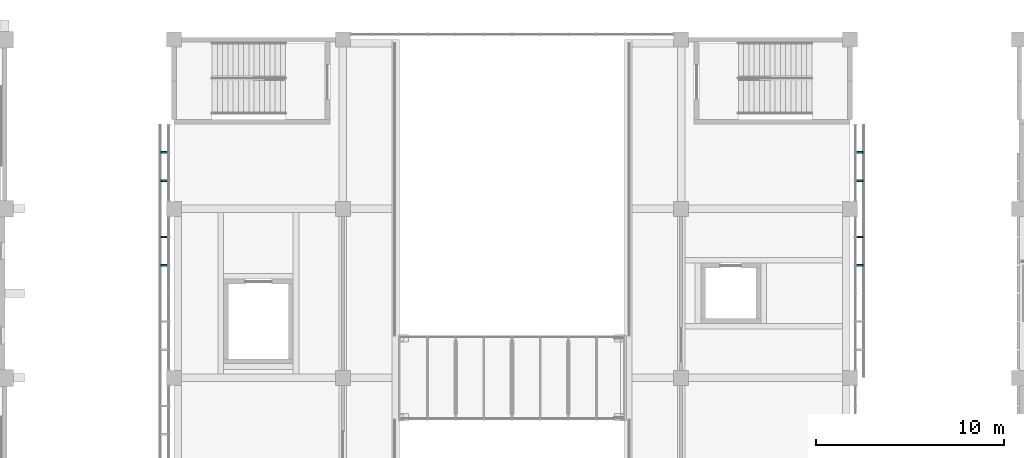
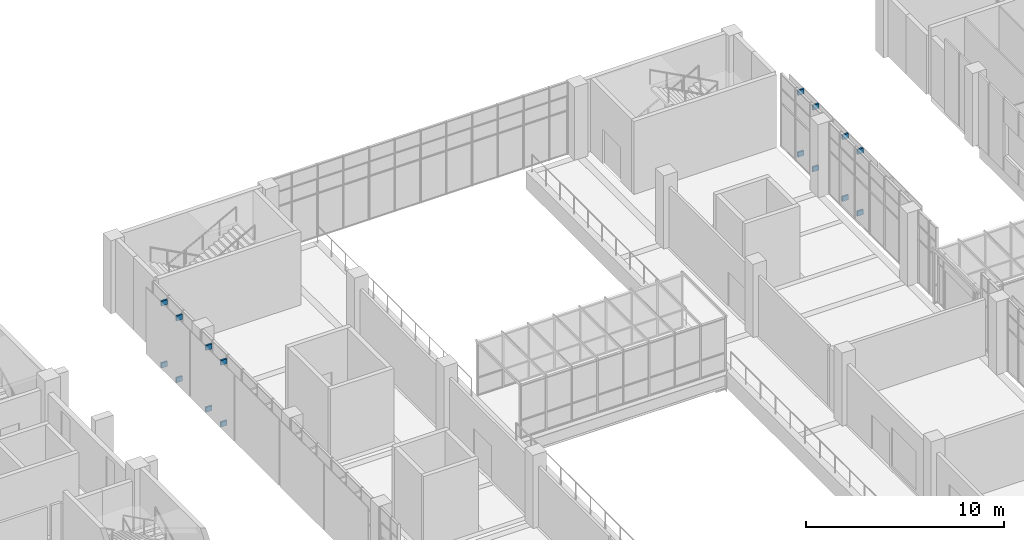
# One storey, part 77 of 88: 16 discrete accessories.
"""IFC4 building model written with IfcOpenShell, lengths in metres."""

from ifc_helpers import new_model, si_unit, direction, frame, origin, origin_2d, place, context, subcontext, project, spatial, rectangle, extrude, material, type_object, element, save


model = new_model("IFC4")

# Units and contexts
model_context = context("Model", 3, precision=1e-05, world=origin(), true_north=direction((0.0, 1.0)))
body_context = subcontext(model_context, "Body", "Model", "MODEL_VIEW")
ifc_project = project(units=[si_unit("LENGTHUNIT", "METRE"), si_unit("AREAUNIT", "SQUARE_METRE"), si_unit("VOLUMEUNIT", "CUBIC_METRE"), si_unit("PLANEANGLEUNIT", "RADIAN"), si_unit("MASSUNIT", "GRAM", prefix="KILO")], contexts=[model_context])

# Site, building, storey
site_placement = place(None, origin())
site = spatial("IfcSite", under=ifc_project, at=site_placement, CompositionType="ELEMENT")
building_placement = place(site_placement, origin())
building = spatial("IfcBuilding", under=site, at=building_placement, Name="Guidao Yard Department Store", CompositionType="ELEMENT")
storey_placement = place(building_placement, frame((0.0, 0.0, 6.0)))
storey = spatial("IfcBuildingStorey", under=building, at=storey_placement, Name="L01", CompositionType="ELEMENT", Elevation=6.0)

# Discrete accessories
ifc_material = material(Name="Steel Q355B", Category="steel")
discrete_accessory_type = type_object("IfcDiscreteAccessoryType", Name="Bracket BR2 steel plate", PredefinedType="BRACKET", material=ifc_material)
for number, where, z_axis, x_axis, name in (
    (1, (71.465087890625, 96.0, 0.2001953125), (0.0, 0.0, 1.0), (0.0, 1.0, 0.0), "Screen bracket"),
    (2, (71.465087890625, 96.0, 4.0), (0.0, 0.0, 1.0), (0.0, 1.0, 0.0), "Screen bracket"),
    (3, (71.465087890625, 97.5, 0.2001953125), (0.0, 0.0, 1.0), (0.0, 1.0, 0.0), "Screen bracket"),
    (4, (71.465087890625, 97.5, 4.0), (0.0, 0.0, 1.0), (0.0, 1.0, 0.0), "Screen bracket"),
    (5, (71.465087890625, 100.5, 0.2001953125), (0.0, 0.0, 1.0), (0.0, 1.0, 0.0), "Screen bracket"),
    (6, (71.465087890625, 100.5, 4.0), (0.0, 0.0, 1.0), (0.0, 1.0, 0.0), "Screen bracket"),
    (7, (71.465087890625, 102.0, 0.2001953125), (0.0, 0.0, 1.0), (0.0, 1.0, 0.0), "Screen bracket"),
    (8, (71.465087890625, 102.0, 4.0), (0.0, 0.0, 1.0), (0.0, 1.0, 0.0), "Screen bracket"),
    (9, (108.534912109375, 96.0, 0.2001953125), (0.0, 0.0, 1.0), (0.0, -1.0, 0.0), "Screen bracket"),
    (10, (108.534912109375, 96.0, 4.0), (0.0, 0.0, 1.0), (0.0, -1.0, 0.0), "Screen bracket"),
    (11, (108.534912109375, 97.5, 0.2001953125), (0.0, 0.0, 1.0), (0.0, -1.0, 0.0), "Screen bracket"),
    (12, (108.534912109375, 97.5, 4.0), (0.0, 0.0, 1.0), (0.0, -1.0, 0.0), "Screen bracket"),
    (13, (108.534912109375, 100.5, 0.2001953125), (0.0, 0.0, 1.0), (0.0, -1.0, 0.0), "Screen bracket"),
    (14, (108.534912109375, 100.5, 4.0), (0.0, 0.0, 1.0), (0.0, -1.0, 0.0), "Screen bracket"),
    (15, (108.534912109375, 102.0, 0.2001953125), (0.0, 0.0, 1.0), (0.0, -1.0, 0.0), "Screen bracket"),
    (16, (108.534912109375, 102.0, 4.0), (0.0, 0.0, 1.0), (0.0, -1.0, 0.0), "Screen bracket"),
):
    element("IfcDiscreteAccessory", number, at=place(storey_placement, frame(where, z_axis=z_axis, x_axis=x_axis)), inside=storey, type_object=discrete_accessory_type, Name=name, PredefinedType="BRACKET", context=body_context, shape_type="SweptSolid", body=[
        extrude(rectangle(XDim=0.10009765625, YDim=0.35009765625, at=origin_2d()), origin(), (0.0, 0.0, 1.0), 0.300048828125),
    ])

save(model, "model.ifc")
